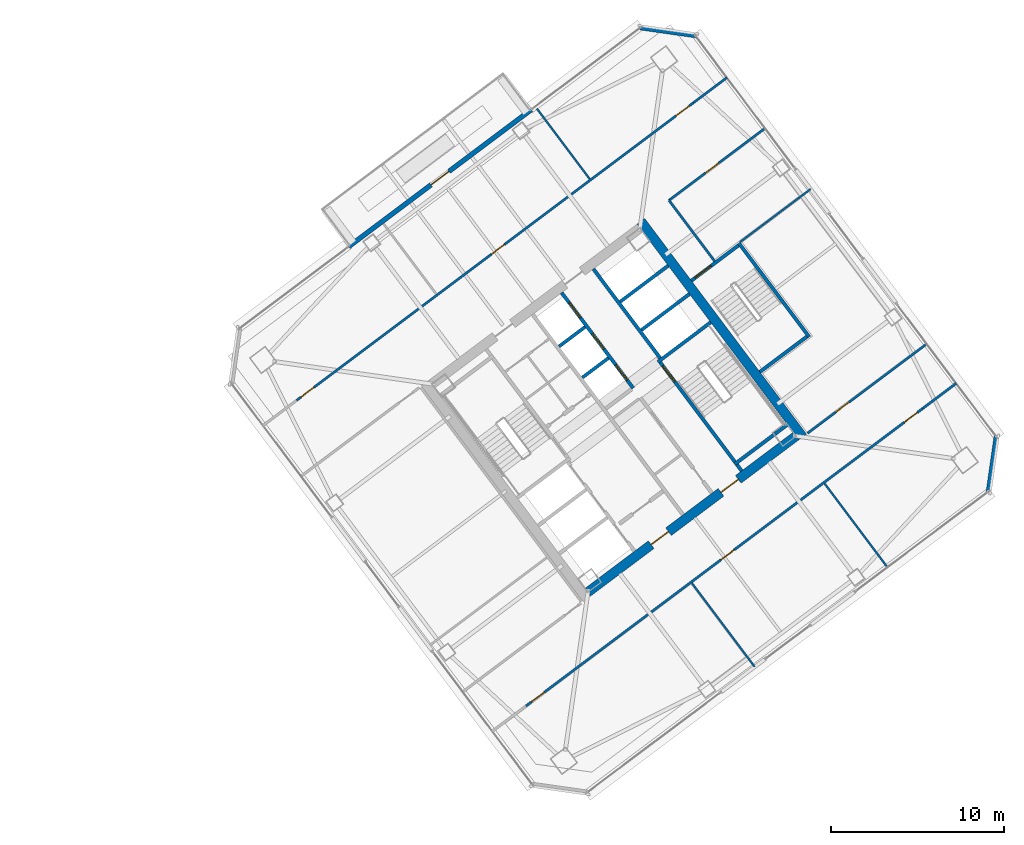
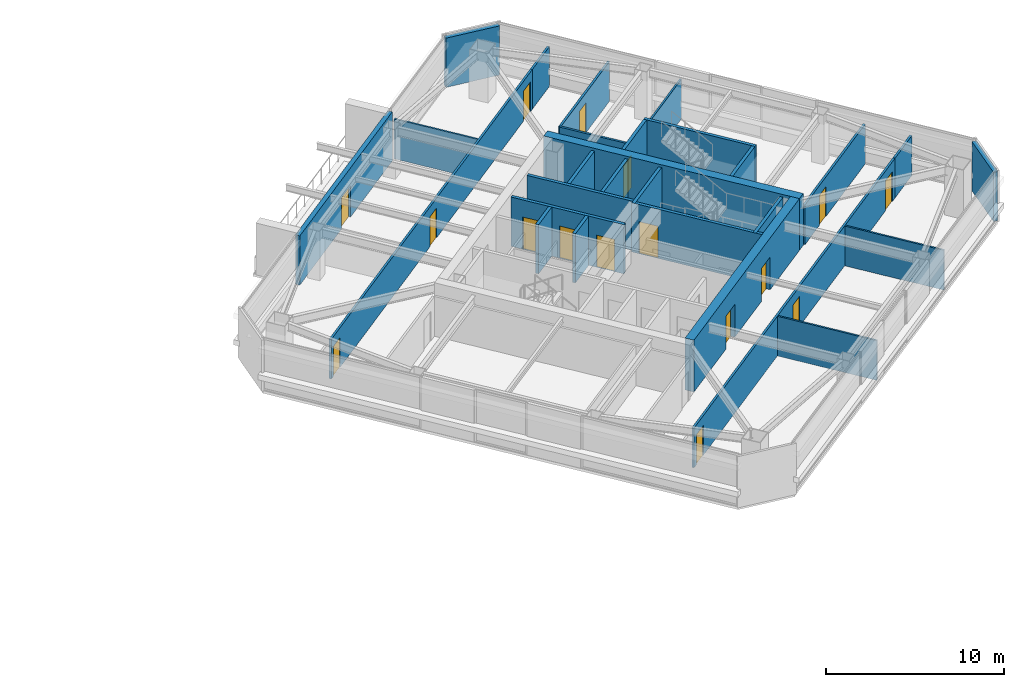
# One storey, part 35 of 43: 28 walls, 16 doors, 16 openings.
"""IFC4 building model written with IfcOpenShell, lengths in metres."""

from ifc_helpers import new_model, si_unit, direction, frame, frame_2d, origin, place, context, subcontext, project, spatial, rectangle, extrude, material, layer, layer_set, type_object, element, fill, save


model = new_model("IFC4")

# Units and contexts
model_context = context("Model", 3, precision=1e-05, world=origin(), true_north=direction((0.0, 1.0)))
body_context = subcontext(model_context, "Body", "Model", "MODEL_VIEW")
ifc_project = project(units=[si_unit("LENGTHUNIT", "METRE"), si_unit("AREAUNIT", "SQUARE_METRE"), si_unit("VOLUMEUNIT", "CUBIC_METRE"), si_unit("PLANEANGLEUNIT", "RADIAN"), si_unit("MASSUNIT", "GRAM", prefix="KILO")], contexts=[model_context])

# Site, building, storey
site_placement = place(None, origin())
site = spatial("IfcSite", under=ifc_project, at=site_placement, CompositionType="ELEMENT")
building_placement = place(site_placement, origin())
building = spatial("IfcBuilding", under=site, at=building_placement, Name="Tashvorn Skyway Center", CompositionType="ELEMENT")
storey_placement = place(building_placement, frame((0.0, 0.0, 188.949951171875)))
storey = spatial("IfcBuildingStorey", under=building, at=storey_placement, Name="L51", CompositionType="ELEMENT", Elevation=188.949951171875)

# Wall
ifc_material_1 = material(Name="Concrete C60/75", Category="concrete")
ifc_layer_1 = layer(ifc_material_1, 0.550048828125)
ifc_layer_set_1 = layer_set([ifc_layer_1], Name="Concrete C60/75")
wall_type_1 = type_object("IfcWallType", Name="WALL-CORE-550", PredefinedType="SHEAR", material=ifc_layer_set_1)
wall_1_placement = place(storey_placement, frame((115.56396484375, 42.923095703125, 0.0), z_axis=(0.0, 0.0, 1.0), x_axis=(0.600005007985, -0.799996243986, 0.0)))
element("IfcWall", 1, at=wall_1_placement, inside=storey, type_object=wall_type_1, Name="Tower 2 L51 East Core Shear Wall", PredefinedType="SHEAR", context=body_context, shape_type="SweptSolid", body=[
    extrude(rectangle(XDim=15.60009765625, YDim=0.550048828125, at=frame_2d((7.800048828125, 0.0))), origin(), (0.0, 0.0, 1.0), 3.550048828125),
])

# Wall, openings, doors
wall_2_placement = place(storey_placement, frame((124.5390625, 30.498046875, 0.0), z_axis=(0.0, 0.0, 1.0), x_axis=(-0.799998054672, -0.600002593761, 0.0)))
wall_2 = element("IfcWall", 2, at=wall_2_placement, inside=storey, type_object=wall_type_1, Name="Tower 2 L51 South Core Shear Wall", PredefinedType="SHEAR", context=body_context, shape_type="SweptSolid", body=[
    extrude(rectangle(XDim=15.06005859375, YDim=0.550048828125, at=frame_2d((7.530029296875, 0.0))), origin(), (0.0, 0.0, 1.0), 3.550048828125),
])
opening_1_placement = place(wall_2_placement, frame((9.22998046875, 0.0, 0.0)))
opening_1 = element("IfcOpeningElement", 3, at=opening_1_placement, cuts=wall_2, Name="Opening D-FFL-1250", PredefinedType="OPENING", context=body_context, shape_type="SweptSolid", body=[
    extrude(rectangle(XDim=1.25, YDim=2.25, at=frame_2d((0.625, 1.125))), frame((0.0, 0.284912109375, 0.0), z_axis=(0.0, -1.0, 0.0), x_axis=(1.0, 0.0, 0.0)), (0.0, 0.0, 1.0), 0.570068359375),
])
opening_2_placement = place(wall_2_placement, frame((4.179931640625, 0.0, 0.0)))
opening_2 = element("IfcOpeningElement", 4, at=opening_2_placement, cuts=wall_2, Name="Opening D-FFL-1250", PredefinedType="OPENING", context=body_context, shape_type="SweptSolid", body=[
    extrude(rectangle(XDim=1.25, YDim=2.25, at=frame_2d((0.625, 1.125))), frame((0.0, 0.284912109375, 0.0), z_axis=(0.0, -1.0, 0.0), x_axis=(1.0, 0.0, 0.0)), (0.0, 0.0, 1.0), 0.570068359375),
])
ifc_material_2 = material(Name="Hollow galvanized steel fire door assembly", Category="steel")
door_type_1 = type_object("IfcDoorType", Name="DOOR-FFL-1250", OperationType="NOTDEFINED", PredefinedType="DOOR", material=ifc_material_2)
door_1_placement = place(opening_1_placement, origin())
door_1 = element("IfcDoor", 5, at=door_1_placement, inside=storey, type_object=door_type_1, Name="Tower 2 L51 Core South Firefighting Exit Door", OperationType="SINGLE_SWING_LEFT", OverallHeight=2.25, OverallWidth=1.25, PredefinedType="DOOR", context=body_context, shape_type="SweptSolid", body=[
    extrude(rectangle(XDim=1.25, YDim=2.25, at=frame_2d((0.625, 1.125))), frame((0.0, 0.02490234375, 0.0), z_axis=(0.0, -1.0, 0.0), x_axis=(1.0, 0.0, 0.0)), (0.0, 0.0, 1.0), 0.050048828125),
])
fill(opening_1, door_1)
door_2_placement = place(opening_2_placement, origin())
door_2 = element("IfcDoor", 6, at=door_2_placement, inside=storey, type_object=door_type_1, Name="Tower 2 L51 Core South Lift Lobby Door", OperationType="SINGLE_SWING_RIGHT", OverallHeight=2.25, OverallWidth=1.25, PredefinedType="DOOR", context=body_context, shape_type="SweptSolid", body=[
    extrude(rectangle(XDim=1.25, YDim=2.25, at=frame_2d((0.625, 1.125))), frame((0.0, 0.02490234375, 0.0), z_axis=(0.0, -1.0, 0.0), x_axis=(1.0, 0.0, 0.0)), (0.0, 0.0, 1.0), 0.050048828125),
])
fill(opening_2, door_2)

# Wall, opening, door
ifc_material_3 = material(Name="Precast concrete C40/50", Category="concrete")
ifc_layer_2 = layer(ifc_material_3, 0.280029296875)
ifc_layer_set_2 = layer_set([ifc_layer_2], Name="Precast concrete C40/50")
wall_type_2 = type_object("IfcWallType", Name="WALL-EXT-280", PredefinedType="SOLIDWALL", material=ifc_layer_set_2)
wall_3_placement = place(storey_placement, frame((98.652099609375, 41.464111328125, 0.0), z_axis=(0.0, 0.0, 1.0), x_axis=(0.799997780501, 0.60000295932, 0.0)))
wall_3 = element("IfcWall", 7, at=wall_3_placement, inside=storey, type_object=wall_type_2, Name="Tower 2 L51 North Sky Garden Loggia Wall", PredefinedType="SOLIDWALL", context=body_context, shape_type="SweptSolid", body=[
    extrude(rectangle(XDim=13.19970703125, YDim=0.280029296875, at=frame_2d((6.599853515625, 0.0))), origin(), (0.0, 0.0, 1.0), 3.3701171875),
])
opening_3_placement = place(wall_3_placement, frame((5.949951171875, 0.0, 0.0)))
opening_3 = element("IfcOpeningElement", 8, at=opening_3_placement, cuts=wall_3, Name="Opening D-TER-1300", PredefinedType="OPENING", context=body_context, shape_type="SweptSolid", body=[
    extrude(rectangle(XDim=1.300048828125, YDim=2.14990234375, at=frame_2d((0.64990234375, 1.074951171875))), frame((0.0, 0.14990234375, 0.0), z_axis=(0.0, -1.0, 0.0), x_axis=(1.0, 0.0, 0.0)), (0.0, 0.0, 1.0), 0.300048828125),
])
ifc_material_4 = material(Name="Thermally broken bronze-anodized aluminium 6063-T6", Category="aluminium")
door_type_2 = type_object("IfcDoorType", Name="DOOR-TERR-1300", OperationType="NOTDEFINED", PredefinedType="DOOR", material=ifc_material_4)
door_3_placement = place(opening_3_placement, origin())
door_3 = element("IfcDoor", 9, at=door_3_placement, inside=storey, type_object=door_type_2, Name="Tower 2 L51 Sky Garden Access Door", OperationType="SINGLE_SWING_RIGHT", OverallHeight=2.14990234375, OverallWidth=1.300048828125, PredefinedType="DOOR", context=body_context, shape_type="SweptSolid", body=[
    extrude(rectangle(XDim=1.300048828125, YDim=2.14990234375, at=frame_2d((0.64990234375, 1.074951171875))), frame((0.0, 0.02490234375, 0.0), z_axis=(0.0, -1.0, 0.0), x_axis=(1.0, 0.0, 0.0)), (0.0, 0.0, 1.0), 0.050048828125),
])
fill(opening_3, door_3)

# Walls
for number, where, z_axis, x_axis, name in (
    (10, (115.52001953125, 54.139892578125, 0.0), (0.0, 0.0, 1.0), (0.989950994782, -0.141410847992, 0.0), "Tower 2 L51 NE Precast Chamfer Wall"),
    (11, (136.139892578125, 30.47998046875, 0.0), (0.0, 0.0, 1.0), (-0.141410847992, -0.989950994782, 0.0), "Tower 2 L51 SE Precast Chamfer Wall"),
):
    element("IfcWall", number, at=place(storey_placement, frame(where, z_axis=z_axis, x_axis=x_axis)), inside=storey, type_object=wall_type_2, Name=name, PredefinedType="SOLIDWALL", context=body_context, shape_type="SweptSolid", body=[
        extrude(rectangle(XDim=3.252685546875, YDim=0.280029296875, at=frame_2d((1.62646484375, 0.0))), origin(), (0.0, 0.0, 1.0), 3.3701171875),
    ])
ifc_material_5 = material(Name="Gypsum board on cold-formed steel stud framing", Category="steel")
ifc_layer_3 = layer(ifc_material_5, 0.110107421875)
ifc_layer_set_3 = layer_set([ifc_layer_3], Name="Gypsum board on cold-formed steel stud framing")
wall_type_3 = type_object("IfcWallType", Name="WALL-PART-110", PredefinedType="PARTITIONING", material=ifc_layer_set_3)
wall_4_placement = place(storey_placement, frame((112.590087890625, 45.3798828125, 0.0), z_axis=(0.0, 0.0, 1.0), x_axis=(-0.599992310844, 0.800005766809, 0.0)))
element("IfcWall", 12, at=wall_4_placement, inside=storey, type_object=wall_type_3, Name="Tower 2 L51 North Suite Partition 2", PredefinedType="PARTITIONING", context=body_context, shape_type="SweptSolid", body=[
    extrude(rectangle(XDim=5.080322265625, YDim=0.110107421875, at=frame_2d((2.5400390625, 0.0))), origin(), (0.0, 0.0, 1.0), 2.72314453125),
])
for number, where, z_axis, x_axis, name in (
    (13, (122.14794921875, 17.135986328125, 0.0), (0.0, 0.0, 1.0), (-0.599980629989, 0.800014527142, 0.0), "Tower 2 L51 South Suite Partition 1"),
    (14, (129.827880859375, 22.89599609375, 0.0), (0.0, 0.0, 1.0), (-0.599980629989, 0.800014527142, 0.0), "Tower 2 L51 South Suite Partition 2"),
):
    element("IfcWall", number, at=place(storey_placement, frame(where, z_axis=z_axis, x_axis=x_axis)), inside=storey, type_object=wall_type_3, Name=name, PredefinedType="PARTITIONING", context=body_context, shape_type="SweptSolid", body=[
        extrude(rectangle(XDim=6.050048828125, YDim=0.110107421875, at=frame_2d((3.02490234375, 0.0))), origin(), (0.0, 0.0, 1.0), 2.72314453125),
    ])
wall_5_placement = place(storey_placement, frame((125.384033203125, 44.7880859375, 0.0), z_axis=(0.0, 0.0, 1.0), x_axis=(-0.8, -0.6, 0.0)))
element("IfcWall", 15, at=wall_5_placement, inside=storey, type_object=wall_type_3, Name="Tower 2 L51 East Suite Partition 1", PredefinedType="PARTITIONING", context=body_context, shape_type="SweptSolid", body=[
    extrude(rectangle(XDim=5.10009765625, YDim=0.110107421875, at=frame_2d((2.550048828125, 0.0))), origin(), (0.0, 0.0, 1.0), 2.72314453125),
])
ifc_layer_4 = layer(ifc_material_5, 0.135009765625)
ifc_layer_set_4 = layer_set([ifc_layer_4], Name="Gypsum board on cold-formed steel stud framing")
wall_type_4 = type_object("IfcWallType", Name="WALL-PART-135", PredefinedType="PARTITIONING", material=ifc_layer_set_4)
wall_6_placement = place(storey_placement, frame((119.823974609375, 40.617919921875, 0.0), z_axis=(0.0, 0.0, 1.0), x_axis=(-0.599982243973, 0.800013316712, 0.0)))
element("IfcWall", 16, at=wall_6_placement, inside=storey, type_object=wall_type_4, Name="Tower 2 L51 Stair 3 Access Corridor Wall", PredefinedType="PARTITIONING", context=body_context, shape_type="SweptSolid", body=[
    extrude(rectangle(XDim=4.39990234375, YDim=0.135009765625, at=frame_2d((2.199951171875, 0.0))), origin(), (0.0, 0.0, 1.0), 2.72314453125),
])

# Wall, openings, doors
wall_7_placement = place(storey_placement, frame((95.637939453125, 32.56591796875, 0.0), z_axis=(0.0, 0.0, 1.0), x_axis=(0.8, 0.6, 0.0)))
wall_7 = element("IfcWall", 17, at=wall_7_placement, inside=storey, type_object=wall_type_4, Name="Tower 2 L51 North Suite Wall", PredefinedType="PARTITIONING", context=body_context, shape_type="SweptSolid", body=[
    extrude(rectangle(XDim=28.699951171875, YDim=0.135009765625, at=frame_2d((14.35009765625, 0.0))), origin(), (0.0, 0.0, 1.0), 2.72314453125),
])
opening_4_placement = place(wall_7_placement, frame((0.300048828125, 0.0, 0.0)))
opening_4 = element("IfcOpeningElement", 18, at=opening_4_placement, cuts=wall_7, Name="Opening D-INT-950", PredefinedType="OPENING", context=body_context, shape_type="SweptSolid", body=[
    extrude(rectangle(XDim=0.949951171875, YDim=2.050048828125, at=frame_2d((0.47509765625, 1.02490234375))), frame((0.0, 0.077392578125, 0.0), z_axis=(0.0, -1.0, 0.0), x_axis=(1.0, 0.0, 0.0)), (0.0, 0.0, 1.0), 0.155029296875),
])
opening_5_placement = place(wall_7_placement, frame((14.0830078125, 0.0, 0.0)))
opening_5 = element("IfcOpeningElement", 19, at=opening_5_placement, cuts=wall_7, Name="Opening D-INT-950", PredefinedType="OPENING", context=body_context, shape_type="SweptSolid", body=[
    extrude(rectangle(XDim=0.949951171875, YDim=2.050048828125, at=frame_2d((0.47509765625, 1.02490234375))), frame((0.0, 0.077392578125, 0.0), z_axis=(0.0, -1.0, 0.0), x_axis=(1.0, 0.0, 0.0)), (0.0, 0.0, 1.0), 0.155029296875),
])
opening_6_placement = place(wall_7_placement, frame((27.449951171875, 0.0, 0.0)))
opening_6 = element("IfcOpeningElement", 20, at=opening_6_placement, cuts=wall_7, Name="Opening D-INT-950", PredefinedType="OPENING", context=body_context, shape_type="SweptSolid", body=[
    extrude(rectangle(XDim=0.949951171875, YDim=2.050048828125, at=frame_2d((0.47509765625, 1.02490234375))), frame((0.0, 0.077392578125, 0.0), z_axis=(0.0, -1.0, 0.0), x_axis=(1.0, 0.0, 0.0)), (0.0, 0.0, 1.0), 0.155029296875),
])
ifc_material_6 = material(Name="Solid-core architectural oak veneer door")
door_type_3 = type_object("IfcDoorType", Name="DOOR-INT-950", OperationType="NOTDEFINED", PredefinedType="DOOR", material=ifc_material_6)
door_4_placement = place(opening_4_placement, origin())
door_4 = element("IfcDoor", 21, at=door_4_placement, inside=storey, type_object=door_type_3, Name="Tower 2 L51 Operations Control Room Door", OperationType="SINGLE_SWING_LEFT", OverallHeight=2.050048828125, OverallWidth=0.949951171875, PredefinedType="DOOR", context=body_context, shape_type="SweptSolid", body=[
    extrude(rectangle(XDim=0.949951171875, YDim=2.050048828125, at=frame_2d((0.47509765625, 1.02490234375))), frame((0.0, 0.02490234375, 0.0), z_axis=(0.0, -1.0, 0.0), x_axis=(1.0, 0.0, 0.0)), (0.0, 0.0, 1.0), 0.050048828125),
])
fill(opening_4, door_4)
door_5_placement = place(opening_5_placement, origin())
door_5 = element("IfcDoor", 22, at=door_5_placement, inside=storey, type_object=door_type_3, Name="Tower 2 L51 Operations Control Room Door", OperationType="SINGLE_SWING_RIGHT", OverallHeight=2.050048828125, OverallWidth=0.949951171875, PredefinedType="DOOR", context=body_context, shape_type="SweptSolid", body=[
    extrude(rectangle(XDim=0.949951171875, YDim=2.050048828125, at=frame_2d((0.47509765625, 1.02490234375))), frame((0.0, 0.02490234375, 0.0), z_axis=(0.0, -1.0, 0.0), x_axis=(1.0, 0.0, 0.0)), (0.0, 0.0, 1.0), 0.050048828125),
])
fill(opening_5, door_5)
door_6_placement = place(opening_6_placement, origin())
door_6 = element("IfcDoor", 23, at=door_6_placement, inside=storey, type_object=door_type_3, Name="Tower 2 L51 Catering Pantry Door", OperationType="SINGLE_SWING_LEFT", OverallHeight=2.050048828125, OverallWidth=0.949951171875, PredefinedType="DOOR", context=body_context, shape_type="SweptSolid", body=[
    extrude(rectangle(XDim=0.949951171875, YDim=2.050048828125, at=frame_2d((0.47509765625, 1.02490234375))), frame((0.0, 0.02490234375, 0.0), z_axis=(0.0, -1.0, 0.0), x_axis=(1.0, 0.0, 0.0)), (0.0, 0.0, 1.0), 0.050048828125),
])
fill(opening_6, door_6)

# Wall
wall_8_placement = place(storey_placement, frame((118.597900390625, 49.785888671875, 0.0), z_axis=(0.0, 0.0, 1.0), x_axis=(0.800012055778, 0.599983925293, 0.0)))
element("IfcWall", 24, at=wall_8_placement, inside=storey, type_object=wall_type_4, Name="Tower 2 L51 North-East Suite South Wall", PredefinedType="PARTITIONING", context=body_context, shape_type="SweptSolid", body=[
    extrude(rectangle(XDim=2.43017578125, YDim=0.135009765625, at=frame_2d((1.215087890625, 0.0))), origin(), (0.0, 0.0, 1.0), 2.72314453125),
])

# Wall, openings, doors
wall_9_placement = place(storey_placement, frame((131.8701171875, 32.090087890625, 0.0), z_axis=(0.0, 0.0, 1.0), x_axis=(-0.800003062365, -0.599995916825, 0.0)))
wall_9 = element("IfcWall", 25, at=wall_9_placement, inside=storey, type_object=wall_type_4, Name="Tower 2 L51 South Suite Wall", PredefinedType="PARTITIONING", context=body_context, shape_type="SweptSolid", body=[
    extrude(rectangle(XDim=28.7001953125, YDim=0.135009765625, at=frame_2d((14.35009765625, 0.0))), origin(), (0.0, 0.0, 1.0), 2.72314453125),
])
opening_7_placement = place(wall_9_placement, frame((27.3701171875, 0.0, 0.0)))
opening_7 = element("IfcOpeningElement", 26, at=opening_7_placement, cuts=wall_9, Name="Opening D-INT-950", PredefinedType="OPENING", context=body_context, shape_type="SweptSolid", body=[
    extrude(rectangle(XDim=0.949951171875, YDim=2.050048828125, at=frame_2d((0.47509765625, 1.02490234375))), frame((0.0, 0.077392578125, 0.0), z_axis=(0.0, -1.0, 0.0), x_axis=(1.0, 0.0, 0.0)), (0.0, 0.0, 1.0), 0.155029296875),
])
opening_8_placement = place(wall_9_placement, frame((13.638427734375, 0.0, 0.0)))
opening_8 = element("IfcOpeningElement", 27, at=opening_8_placement, cuts=wall_9, Name="Opening D-INT-950", PredefinedType="OPENING", context=body_context, shape_type="SweptSolid", body=[
    extrude(rectangle(XDim=0.949951171875, YDim=2.050048828125, at=frame_2d((0.47509765625, 1.02490234375))), frame((0.0, 0.077392578125, 0.0), z_axis=(0.0, -1.0, 0.0), x_axis=(1.0, 0.0, 0.0)), (0.0, 0.0, 1.0), 0.155029296875),
])
opening_9_placement = place(wall_9_placement, frame((0.3798828125, 0.0, 0.0)))
opening_9 = element("IfcOpeningElement", 28, at=opening_9_placement, cuts=wall_9, Name="Opening D-INT-950", PredefinedType="OPENING", context=body_context, shape_type="SweptSolid", body=[
    extrude(rectangle(XDim=0.949951171875, YDim=2.050048828125, at=frame_2d((0.47509765625, 1.02490234375))), frame((0.0, 0.077392578125, 0.0), z_axis=(0.0, -1.0, 0.0), x_axis=(1.0, 0.0, 0.0)), (0.0, 0.0, 1.0), 0.155029296875),
])
door_7_placement = place(opening_7_placement, origin())
door_7 = element("IfcDoor", 29, at=door_7_placement, inside=storey, type_object=door_type_3, Name="Tower 2 L51 Operations Control Room Door", OperationType="SINGLE_SWING_RIGHT", OverallHeight=2.050048828125, OverallWidth=0.949951171875, PredefinedType="DOOR", context=body_context, shape_type="SweptSolid", body=[
    extrude(rectangle(XDim=0.949951171875, YDim=2.050048828125, at=frame_2d((0.47509765625, 1.02490234375))), frame((0.0, 0.02490234375, 0.0), z_axis=(0.0, -1.0, 0.0), x_axis=(1.0, 0.0, 0.0)), (0.0, 0.0, 1.0), 0.050048828125),
])
fill(opening_7, door_7)
door_8_placement = place(opening_8_placement, origin())
door_8 = element("IfcDoor", 30, at=door_8_placement, inside=storey, type_object=door_type_3, Name="Tower 2 L51 Catering Pantry Door", OperationType="SINGLE_SWING_LEFT", OverallHeight=2.050048828125, OverallWidth=0.949951171875, PredefinedType="DOOR", context=body_context, shape_type="SweptSolid", body=[
    extrude(rectangle(XDim=0.949951171875, YDim=2.050048828125, at=frame_2d((0.47509765625, 1.02490234375))), frame((0.0, 0.02490234375, 0.0), z_axis=(0.0, -1.0, 0.0), x_axis=(1.0, 0.0, 0.0)), (0.0, 0.0, 1.0), 0.050048828125),
])
fill(opening_8, door_8)
door_9_placement = place(opening_9_placement, origin())
door_9 = element("IfcDoor", 31, at=door_9_placement, inside=storey, type_object=door_type_3, Name="Tower 2 L51 Catering Pantry Door", OperationType="SINGLE_SWING_RIGHT", OverallHeight=2.050048828125, OverallWidth=0.949951171875, PredefinedType="DOOR", context=body_context, shape_type="SweptSolid", body=[
    extrude(rectangle(XDim=0.949951171875, YDim=2.050048828125, at=frame_2d((0.47509765625, 1.02490234375))), frame((0.0, 0.02490234375, 0.0), z_axis=(0.0, -1.0, 0.0), x_axis=(1.0, 0.0, 0.0)), (0.0, 0.0, 1.0), 0.050048828125),
])
fill(opening_9, door_9)

# Wall
wall_10_placement = place(storey_placement, frame((131.8701171875, 32.090087890625, 0.0), z_axis=(0.0, 0.0, 1.0), x_axis=(0.799975885537, 0.600032151272, 0.0)))
element("IfcWall", 32, at=wall_10_placement, inside=storey, type_object=wall_type_4, Name="Tower 2 L51 South-East Suite North Wall", PredefinedType="PARTITIONING", context=body_context, shape_type="SweptSolid", body=[
    extrude(rectangle(XDim=2.429931640625, YDim=0.135009765625, at=frame_2d((1.21484375, 0.0))), origin(), (0.0, 0.0, 1.0), 2.72314453125),
])

# Wall, opening, door
wall_11_placement = place(storey_placement, frame((122.743896484375, 48.30810546875, 0.0), z_axis=(0.0, 0.0, 1.0), x_axis=(-0.79997892247, -0.600028102345, 0.0)))
wall_11 = element("IfcWall", 33, at=wall_11_placement, inside=storey, type_object=wall_type_4, Name="Tower 2 L51 East Suite North Wall", PredefinedType="PARTITIONING", context=body_context, shape_type="SweptSolid", body=[
    extrude(rectangle(XDim=6.949951171875, YDim=0.135009765625, at=frame_2d((3.47509765625, 0.0))), origin(), (0.0, 0.0, 1.0), 2.72314453125),
])
opening_10_placement = place(wall_11_placement, frame((3.35009765625, 0.0, 0.0)))
opening_10 = element("IfcOpeningElement", 34, at=opening_10_placement, cuts=wall_11, Name="Opening D-INT-950", PredefinedType="OPENING", context=body_context, shape_type="SweptSolid", body=[
    extrude(rectangle(XDim=0.949951171875, YDim=2.050048828125, at=frame_2d((0.47509765625, 1.02490234375))), frame((0.0, 0.077392578125, 0.0), z_axis=(0.0, -1.0, 0.0), x_axis=(1.0, 0.0, 0.0)), (0.0, 0.0, 1.0), 0.155029296875),
])
door_10_placement = place(opening_10_placement, origin())
door_10 = element("IfcDoor", 35, at=door_10_placement, inside=storey, type_object=door_type_3, Name="Tower 2 L51 Wellness Clinic Door", OperationType="SINGLE_SWING_LEFT", OverallHeight=2.050048828125, OverallWidth=0.949951171875, PredefinedType="DOOR", context=body_context, shape_type="SweptSolid", body=[
    extrude(rectangle(XDim=0.949951171875, YDim=2.050048828125, at=frame_2d((0.47509765625, 1.02490234375))), frame((0.0, 0.02490234375, 0.0), z_axis=(0.0, -1.0, 0.0), x_axis=(1.0, 0.0, 0.0)), (0.0, 0.0, 1.0), 0.050048828125),
])
fill(opening_10, door_10)

wall_12_placement = place(storey_placement, frame((125.2080078125, 30.656005859375, 0.0), z_axis=(0.0, 0.0, 1.0), x_axis=(0.800006797429, 0.599990936654, 0.0)))
wall_12 = element("IfcWall", 36, at=wall_12_placement, inside=storey, type_object=wall_type_4, Name="Tower 2 L51 East Suite South Wall", PredefinedType="PARTITIONING", context=body_context, shape_type="SweptSolid", body=[
    extrude(rectangle(XDim=8.619873046875, YDim=0.135009765625, at=frame_2d((4.31005859375, 0.0))), origin(), (0.0, 0.0, 1.0), 2.72314453125),
])
opening_11_placement = place(wall_12_placement, frame((2.044921875, 0.0, 0.0)))
opening_11 = element("IfcOpeningElement", 37, at=opening_11_placement, cuts=wall_12, Name="Opening D-INT-950", PredefinedType="OPENING", context=body_context, shape_type="SweptSolid", body=[
    extrude(rectangle(XDim=0.949951171875, YDim=2.050048828125, at=frame_2d((0.47509765625, 1.02490234375))), frame((0.0, 0.077392578125, 0.0), z_axis=(0.0, -1.0, 0.0), x_axis=(1.0, 0.0, 0.0)), (0.0, 0.0, 1.0), 0.155029296875),
])
door_11_placement = place(opening_11_placement, origin())
door_11 = element("IfcDoor", 38, at=door_11_placement, inside=storey, type_object=door_type_3, Name="Tower 2 L51 Public Restroom Door", OperationType="SINGLE_SWING_RIGHT", OverallHeight=2.050048828125, OverallWidth=0.949951171875, PredefinedType="DOOR", context=body_context, shape_type="SweptSolid", body=[
    extrude(rectangle(XDim=0.949951171875, YDim=2.050048828125, at=frame_2d((0.47509765625, 1.02490234375))), frame((0.0, 0.02490234375, 0.0), z_axis=(0.0, -1.0, 0.0), x_axis=(1.0, 0.0, 0.0)), (0.0, 0.0, 1.0), 0.050048828125),
])
fill(opening_11, door_11)

# Walls
ifc_material_7 = material(Name="Concrete C40/50", Category="concrete")
ifc_layer_5 = layer(ifc_material_7, 0.199951171875)
ifc_layer_set_5 = layer_set([ifc_layer_5], Name="Concrete C40/50")
wall_type_5 = type_object("IfcWallType", Name="WALL-SHAFT-200", PredefinedType="SOLIDWALL", material=ifc_layer_set_5)
for number, where, z_axis, x_axis, name in (
    (39, (115.590087890625, 36.6298828125, 0.0), (0.0, 0.0, 1.0), (0.799974743577, 0.600033673754, 0.0), "Tower 2 L51 High-Rise Shaft Divider"),
    (40, (114.360107421875, 38.27001953125, 0.0), (0.0, 0.0, 1.0), (0.800008418847, 0.599988774707, 0.0), "Tower 2 L51 High-Rise Shaft Divider"),
):
    element("IfcWall", number, at=place(storey_placement, frame(where, z_axis=z_axis, x_axis=x_axis)), inside=storey, type_object=wall_type_5, Name=name, PredefinedType="SOLIDWALL", context=body_context, shape_type="SweptSolid", body=[
        extrude(rectangle(XDim=3.47998046875, YDim=0.199951171875, at=frame_2d((1.739990234375, 0.0))), origin(), (0.0, 0.0, 1.0), 3.3701171875),
    ])

# Wall, openings, doors
wall_13_placement = place(storey_placement, frame((115.110107421875, 33.27001953125, 0.0), z_axis=(0.0, 0.0, 1.0), x_axis=(-0.600011322243, 0.799991508192, 0.0)))
wall_13 = element("IfcWall", 41, at=wall_13_placement, inside=storey, type_object=wall_type_5, Name="Tower 2 L51 Mid-Rise Core Wall", PredefinedType="SOLIDWALL", context=body_context, shape_type="SweptSolid", body=[
    extrude(rectangle(XDim=6.900146484375, YDim=0.199951171875, at=frame_2d((3.4501953125, 0.0))), origin(), (0.0, 0.0, 1.0), 3.3701171875),
])
opening_12_placement = place(wall_13_placement, frame((0.574951171875, 0.0, 0.0)))
opening_12 = element("IfcOpeningElement", 42, at=opening_12_placement, cuts=wall_13, Name="Opening LD-MR-T2-1-L51", PredefinedType="OPENING", context=body_context, shape_type="SweptSolid", body=[
    extrude(rectangle(XDim=1.10009765625, YDim=2.199951171875, at=frame_2d((0.550048828125, 1.10009765625))), frame((0.0, 0.10986328125, 0.0), z_axis=(0.0, -1.0, 0.0), x_axis=(1.0, 0.0, 0.0)), (0.0, 0.0, 1.0), 0.219970703125),
])
opening_13_placement = place(wall_13_placement, frame((2.824951171875, 0.0, 0.0)))
opening_13 = element("IfcOpeningElement", 43, at=opening_13_placement, cuts=wall_13, Name="Opening LD-MR-T2-2-L51", PredefinedType="OPENING", context=body_context, shape_type="SweptSolid", body=[
    extrude(rectangle(XDim=1.10009765625, YDim=2.199951171875, at=frame_2d((0.550048828125, 1.10009765625))), frame((0.0, 0.10986328125, 0.0), z_axis=(0.0, -1.0, 0.0), x_axis=(1.0, 0.0, 0.0)), (0.0, 0.0, 1.0), 0.219970703125),
])
opening_14_placement = place(wall_13_placement, frame((5.074951171875, 0.0, 0.0)))
opening_14 = element("IfcOpeningElement", 44, at=opening_14_placement, cuts=wall_13, Name="Opening LD-MR-T2-3-L51", PredefinedType="OPENING", context=body_context, shape_type="SweptSolid", body=[
    extrude(rectangle(XDim=1.10009765625, YDim=2.199951171875, at=frame_2d((0.550048828125, 1.10009765625))), frame((0.0, 0.10986328125, 0.0), z_axis=(0.0, -1.0, 0.0), x_axis=(1.0, 0.0, 0.0)), (0.0, 0.0, 1.0), 0.219970703125),
])
ifc_material_8 = material(Name="Stainless steel landing door", Category="steel")
door_type_4 = type_object("IfcDoorType", Name="DOOR-LIFT-1100", OperationType="SLIDING_TO_LEFT", PredefinedType="DOOR", material=ifc_material_8)
door_12_placement = place(opening_12_placement, origin())
door_12 = element("IfcDoor", 45, at=door_12_placement, inside=storey, type_object=door_type_4, Name="Lift MR-T2-1 L51 Landing Door", OperationType="SLIDING_TO_LEFT", OverallHeight=2.199951171875, OverallWidth=1.10009765625, PredefinedType="DOOR", context=body_context, shape_type="SweptSolid", body=[
    extrude(rectangle(XDim=1.10009765625, YDim=2.199951171875, at=frame_2d((0.550048828125, 1.10009765625))), frame((0.0, 0.02490234375, 0.0), z_axis=(0.0, -1.0, 0.0), x_axis=(1.0, 0.0, 0.0)), (0.0, 0.0, 1.0), 0.050048828125),
])
fill(opening_12, door_12)
door_13_placement = place(opening_13_placement, origin())
door_13 = element("IfcDoor", 46, at=door_13_placement, inside=storey, type_object=door_type_4, Name="Lift MR-T2-2 L51 Landing Door", OperationType="SLIDING_TO_LEFT", OverallHeight=2.199951171875, OverallWidth=1.10009765625, PredefinedType="DOOR", context=body_context, shape_type="SweptSolid", body=[
    extrude(rectangle(XDim=1.10009765625, YDim=2.199951171875, at=frame_2d((0.550048828125, 1.10009765625))), frame((0.0, 0.02490234375, 0.0), z_axis=(0.0, -1.0, 0.0), x_axis=(1.0, 0.0, 0.0)), (0.0, 0.0, 1.0), 0.050048828125),
])
fill(opening_13, door_13)
door_14_placement = place(opening_14_placement, origin())
door_14 = element("IfcDoor", 47, at=door_14_placement, inside=storey, type_object=door_type_4, Name="Lift MR-T2-3 L51 Landing Door", OperationType="SLIDING_TO_LEFT", OverallHeight=2.199951171875, OverallWidth=1.10009765625, PredefinedType="DOOR", context=body_context, shape_type="SweptSolid", body=[
    extrude(rectangle(XDim=1.10009765625, YDim=2.199951171875, at=frame_2d((0.550048828125, 1.10009765625))), frame((0.0, 0.02490234375, 0.0), z_axis=(0.0, -1.0, 0.0), x_axis=(1.0, 0.0, 0.0)), (0.0, 0.0, 1.0), 0.050048828125),
])
fill(opening_14, door_14)

# Walls
wall_14_placement = place(storey_placement, frame((112.176025390625, 33.882080078125, 0.0), z_axis=(0.0, 0.0, 1.0), x_axis=(0.8, 0.6, 0.0)))
element("IfcWall", 48, at=wall_14_placement, inside=storey, type_object=wall_type_5, Name="Tower 2 L51 Mid-Rise Shaft Divider", PredefinedType="SOLIDWALL", context=body_context, shape_type="SweptSolid", body=[
    extrude(rectangle(XDim=1.8798828125, YDim=0.199951171875, at=frame_2d((0.93994140625, 0.0))), origin(), (0.0, 0.0, 1.0), 3.3701171875),
])
wall_15_placement = place(storey_placement, frame((110.825927734375, 35.681884765625, 0.0), z_axis=(0.0, 0.0, 1.0), x_axis=(0.799984418148, 0.600020775241, 0.0)))
element("IfcWall", 49, at=wall_15_placement, inside=storey, type_object=wall_type_5, Name="Tower 2 L51 Mid-Rise Shaft Divider", PredefinedType="SOLIDWALL", context=body_context, shape_type="SweptSolid", body=[
    extrude(rectangle(XDim=1.880126953125, YDim=0.199951171875, at=frame_2d((0.93994140625, 0.0))), origin(), (0.0, 0.0, 1.0), 3.3701171875),
])

# Wall, opening, door
ifc_layer_6 = layer(ifc_material_7, 0.199951171875)
ifc_layer_set_6 = layer_set([ifc_layer_6], Name="Concrete C40/50")
wall_type_6 = type_object("IfcWallType", Name="WALL-STSHF-200", PredefinedType="SHEAR", material=ifc_layer_set_6)
wall_16_placement = place(storey_placement, frame((116.56005859375, 34.919921875, 0.0), z_axis=(0.0, 0.0, 1.0), x_axis=(0.59999029481, -0.8000072788, 0.0)))
wall_16 = element("IfcWall", 50, at=wall_16_placement, inside=storey, type_object=wall_type_6, Name="Tower 2 L51 Stair 2 Enclosure Wall", PredefinedType="SHEAR", context=body_context, shape_type="SweptSolid", body=[
    extrude(rectangle(XDim=8.0498046875, YDim=0.199951171875, at=frame_2d((4.02490234375, 0.0))), origin(), (0.0, 0.0, 1.0), 3.3701171875),
])
opening_15_placement = place(wall_16_placement, frame((0.449951171875, 0.0, 0.0)))
opening_15 = element("IfcOpeningElement", 51, at=opening_15_placement, cuts=wall_16, Name="Opening D-ST-1150", PredefinedType="OPENING", context=body_context, shape_type="SweptSolid", body=[
    extrude(rectangle(XDim=1.14990234375, YDim=2.199951171875, at=frame_2d((0.574951171875, 1.10009765625))), frame((0.0, 0.10986328125, 0.0), z_axis=(0.0, -1.0, 0.0), x_axis=(1.0, 0.0, 0.0)), (0.0, 0.0, 1.0), 0.219970703125),
])
door_type_5 = type_object("IfcDoorType", Name="DOOR-STAIR-1150", OperationType="NOTDEFINED", PredefinedType="DOOR", material=ifc_material_2)
door_15_placement = place(opening_15_placement, origin())
door_15 = element("IfcDoor", 52, at=door_15_placement, inside=storey, type_object=door_type_5, Name="Tower 2 L51 Exit Stair 2 Door", OperationType="SINGLE_SWING_RIGHT", OverallHeight=2.199951171875, OverallWidth=1.14990234375, PredefinedType="DOOR", context=body_context, shape_type="SweptSolid", body=[
    extrude(rectangle(XDim=1.14990234375, YDim=2.199951171875, at=frame_2d((0.574951171875, 1.10009765625))), frame((0.0, 0.02490234375, 0.0), z_axis=(0.0, -1.0, 0.0), x_axis=(1.0, 0.0, 0.0)), (0.0, 0.0, 1.0), 0.050048828125),
])
fill(opening_15, door_15)

# Walls
for number, where, z_axis, x_axis, name in (
    (53, (116.5400390625, 34.780029296875, 0.0), (0.0, 0.0, 1.0), (0.800015298837, 0.599979601008, 0.0), "Tower 2 L51 Stair 2 North Wall"),
    (54, (120.97998046875, 28.860107421875, 0.0), (0.0, 0.0, 1.0), (0.800015298837, 0.599979601008, 0.0), "Tower 2 L51 Stair 2 South Wall"),
):
    element("IfcWall", number, at=place(storey_placement, frame(where, z_axis=z_axis, x_axis=x_axis)), inside=storey, type_object=wall_type_6, Name=name, PredefinedType="SHEAR", context=body_context, shape_type="SweptSolid", body=[
        extrude(rectangle(XDim=3.829833984375, YDim=0.199951171875, at=frame_2d((1.9150390625, 0.0))), origin(), (0.0, 0.0, 1.0), 3.3701171875),
    ])
wall_17_placement = place(storey_placement, frame((112.81005859375, 40.169921875, 0.0), z_axis=(0.0, 0.0, 1.0), x_axis=(0.599993943644, -0.800004542231, 0.0)))
element("IfcWall", 55, at=wall_17_placement, inside=storey, type_object=wall_type_6, Name="Tower 2 L51 High-Rise Lift Shaft Front Wall", PredefinedType="SHEAR", context=body_context, shape_type="SweptSolid", body=[
    extrude(rectangle(XDim=6.449951171875, YDim=0.199951171875, at=frame_2d((3.22509765625, 0.0))), origin(), (0.0, 0.0, 1.0), 3.3701171875),
])
wall_18_placement = place(storey_placement, frame((125.303955078125, 36.22802734375, 0.0), z_axis=(0.0, 0.0, 1.0), x_axis=(-0.59998851072, 0.800008616831, 0.0)))
element("IfcWall", 56, at=wall_18_placement, inside=storey, type_object=wall_type_6, Name="Tower 2 L51 Stair 3 Outer Wall", PredefinedType="SHEAR", context=body_context, shape_type="SweptSolid", body=[
    extrude(rectangle(XDim=6.7998046875, YDim=0.199951171875, at=frame_2d((3.39990234375, 0.0))), origin(), (0.0, 0.0, 1.0), 3.3701171875),
])

# Wall, opening, door
wall_19_placement = place(storey_placement, frame((121.2041015625, 41.528076171875, 0.0), z_axis=(0.0, 0.0, 1.0), x_axis=(-0.800017232136, -0.599977023131, 0.0)))
wall_19 = element("IfcWall", 57, at=wall_19_placement, inside=storey, type_object=wall_type_6, Name="Tower 2 L51 Stair 3 Enclosure Wall", PredefinedType="SHEAR", context=body_context, shape_type="SweptSolid", body=[
    extrude(rectangle(XDim=3.400146484375, YDim=0.199951171875, at=frame_2d((1.7001953125, 0.0))), origin(), (0.0, 0.0, 1.0), 3.3701171875),
])
opening_16_placement = place(wall_19_placement, frame((1.97509765625, 0.0, 0.0)))
opening_16 = element("IfcOpeningElement", 58, at=opening_16_placement, cuts=wall_19, Name="Opening D-ST-1150", PredefinedType="OPENING", context=body_context, shape_type="SweptSolid", body=[
    extrude(rectangle(XDim=1.14990234375, YDim=2.199951171875, at=frame_2d((0.574951171875, 1.10009765625))), frame((0.0, 0.10986328125, 0.0), z_axis=(0.0, -1.0, 0.0), x_axis=(1.0, 0.0, 0.0)), (0.0, 0.0, 1.0), 0.219970703125),
])
door_16_placement = place(opening_16_placement, origin())
door_16 = element("IfcDoor", 59, at=door_16_placement, inside=storey, type_object=door_type_5, Name="Tower 2 L51 Exit Stair 3 Door", OperationType="SINGLE_SWING_RIGHT", OverallHeight=2.199951171875, OverallWidth=1.14990234375, PredefinedType="DOOR", context=body_context, shape_type="SweptSolid", body=[
    extrude(rectangle(XDim=1.14990234375, YDim=2.199951171875, at=frame_2d((0.574951171875, 1.10009765625))), frame((0.0, 0.02490234375, 0.0), z_axis=(0.0, -1.0, 0.0), x_axis=(1.0, 0.0, 0.0)), (0.0, 0.0, 1.0), 0.050048828125),
])
fill(opening_16, door_16)

# Wall
wall_20_placement = place(storey_placement, frame((122.444091796875, 34.2080078125, 0.0), z_axis=(0.0, 0.0, 1.0), x_axis=(0.79999138319, 0.600011488909, 0.0)))
element("IfcWall", 60, at=wall_20_placement, inside=storey, type_object=wall_type_6, Name="Tower 2 L51 Stair 3 South Wall", PredefinedType="SHEAR", context=body_context, shape_type="SweptSolid", body=[
    extrude(rectangle(XDim=3.39990234375, YDim=0.199951171875, at=frame_2d((1.699951171875, 0.0))), origin(), (0.0, 0.0, 1.0), 3.3701171875),
])

save(model, "model.ifc")
